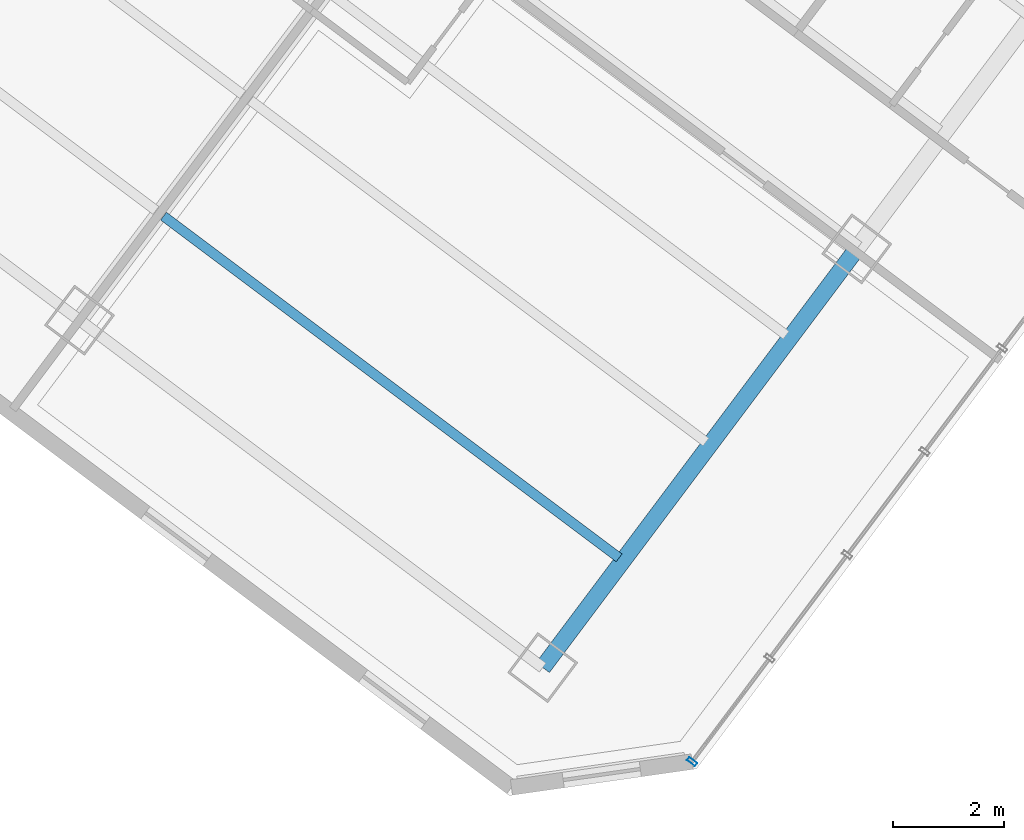
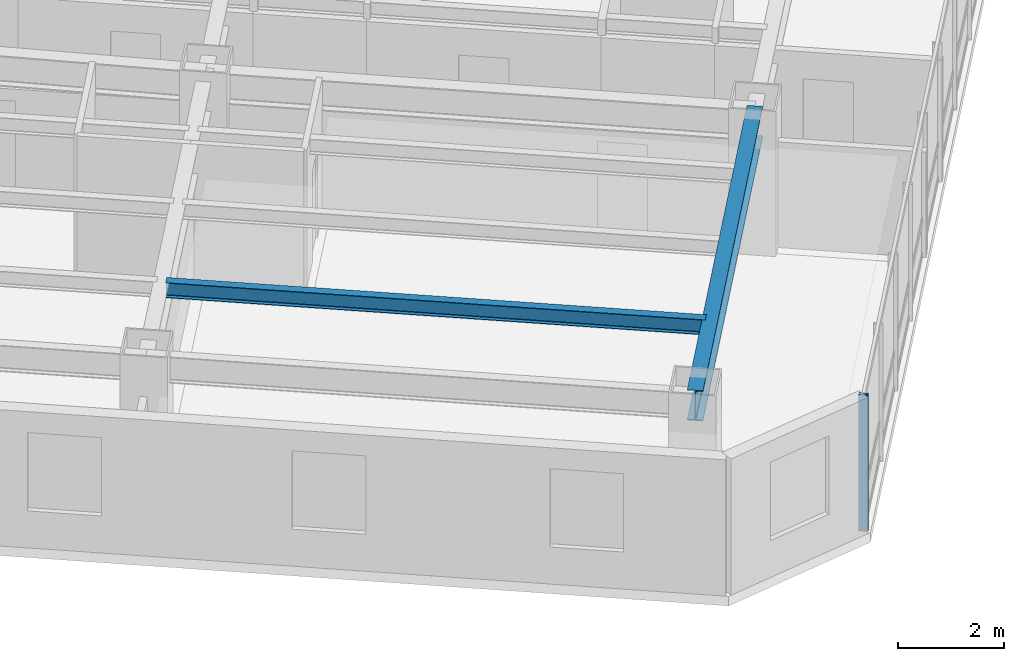
# One storey, part 6 of 31: 2 beams, 1 member, 1 element without a shape of its own.
"""IFC4 building model written with IfcOpenShell, lengths in metres."""

import ifcopenshell
import ifcopenshell.guid

model = None  # the IFC model being written
_history = None  # IfcOwnerHistory: only IFC2X3 demands one
_inside = {}  # id of a spatial element -> (the spatial element, [elements in it])
_under = {}  # id of a project, library or spatial element -> (it, [spatial elements below it])
_declared = {}  # id of a project -> (the project, [libraries it declares])
_typed = {}  # id of a type object -> (the type object, [elements of that type])
_made_of = {}  # id of a material, layer set ... -> (it, [elements and type objects made of it])


def new_model(schema):
    """Start an empty IFC model of exactly this schema.

    Asked for "IFC4X3", IfcOpenShell would pick the latest addendum, in which some entities
    have other attributes; the version numbers below select the first issue.
    IFC2X3 requires an IfcOwnerHistory on every rooted entity: one is made here for all.
    """
    global model, _history
    if schema == "IFC4X3":
        model = ifcopenshell.file(schema_version=(4, 3, 0, 0))
    else:
        model = ifcopenshell.file(schema=schema)
    _inside.clear()
    _under.clear()
    _declared.clear()
    _typed.clear()
    _made_of.clear()
    _history = None
    if model.schema == "IFC2X3":
        org = make("IfcOrganization", Name="unknown")
        user = make(
            "IfcPersonAndOrganization",
            ThePerson=make("IfcPerson", FamilyName="unknown"),
            TheOrganization=org,
        )
        app = make(
            "IfcApplication",
            ApplicationDeveloper=org,
            Version="unknown",
            ApplicationFullName="unknown",
            ApplicationIdentifier="unknown",
        )
        _history = make(
            "IfcOwnerHistory",
            OwningUser=user,
            OwningApplication=app,
            ChangeAction="ADDED",
            CreationDate=0,
        )
    return model


def make(cls, **values):
    """One entity of the class cls with the attributes given. An attribute that is None is left unset."""
    return model.create_entity(
        cls, **{name: value for name, value in values.items() if value is not None}
    )


def rooted(cls, **values):
    """An entity with a GlobalId (a new one), such as an element, a storey or a relation."""
    return make(cls, GlobalId=ifcopenshell.guid.new(), OwnerHistory=_history, **values)


def si_unit(unit_type, name, prefix=None):
    """IfcSIUnit, for example si_unit("LENGTHUNIT", "METRE", prefix="MILLI")."""
    return make("IfcSIUnit", UnitType=unit_type, Prefix=prefix, Name=name)


def assignment(units):
    """IfcUnitAssignment: the units of a project."""
    return None if units is None else make("IfcUnitAssignment", Units=units)


def point(xyz):
    """IfcCartesianPoint."""
    return None if xyz is None else make("IfcCartesianPoint", Coordinates=xyz)


def direction(xyz):
    """IfcDirection."""
    return None if xyz is None else make("IfcDirection", DirectionRatios=xyz)


def frame(location, z_axis=None, x_axis=None):
    """IfcAxis2Placement3D, a coordinate frame: its origin and axes. An axis left out is left unset."""
    return make(
        "IfcAxis2Placement3D",
        Location=point(location),
        Axis=direction(z_axis),
        RefDirection=direction(x_axis),
    )


def frame_2d(location, x_axis=None):
    """IfcAxis2Placement2D, a coordinate frame in the plane: its origin and x axis."""
    return make(
        "IfcAxis2Placement2D", Location=point(location), RefDirection=direction(x_axis)
    )


def origin():
    """The frame at (0, 0, 0) with its axes left unset."""
    return frame((0.0, 0.0, 0.0))


def origin_2d():
    """The frame at (0, 0) in the plane with its x axis left unset."""
    return frame_2d((0.0, 0.0))


def place(relative_to, where):
    """IfcLocalPlacement: puts the frame where relative to a parent placement (None: the world)."""
    return make(
        "IfcLocalPlacement", PlacementRelTo=relative_to, RelativePlacement=where
    )


def context(
    kind, dimensions, precision=None, world=None, true_north=None, identifier=None
):
    """IfcGeometricRepresentationContext, for example the 3D "Model" context."""
    return make(
        "IfcGeometricRepresentationContext",
        ContextIdentifier=identifier,
        ContextType=kind,
        CoordinateSpaceDimension=dimensions,
        Precision=precision,
        WorldCoordinateSystem=world,
        TrueNorth=true_north,
    )


def subcontext(parent, identifier, kind, view, scale=None):
    """IfcGeometricRepresentationSubContext, for example "Body" below "Model"."""
    return make(
        "IfcGeometricRepresentationSubContext",
        ContextIdentifier=identifier,
        ContextType=kind,
        ParentContext=parent,
        TargetScale=scale,
        TargetView=view,
    )


def project(units=None, contexts=None):
    """IfcProject with its units and contexts."""
    return rooted(
        "IfcProject",
        Name="project",
        RepresentationContexts=contexts,
        UnitsInContext=assignment(units),
    )


def spatial(cls, under=None, at=None, **own):
    """A site, building, storey or space (cls), placed at a placement, below another one or the project."""
    s = rooted(cls, ObjectPlacement=at, **own)
    if under is not None:
        _under.setdefault(under.id(), (under, []))[1].append(s)
    return s


def profile(cls, at=None, kind="AREA", **sizes):
    """A parametric profile (cls). Its sizes go by their IFC names, for example OverallWidth=200.0."""
    return make(cls, ProfileType=kind, Position=at, **sizes)


def hollow_rectangle(**sizes):
    """IfcRectangleHollowProfileDef."""
    return profile("IfcRectangleHollowProfileDef", **sizes)


def i_section(**sizes):
    """IfcIShapeProfileDef."""
    return profile("IfcIShapeProfileDef", **sizes)


def extrude(swept, where, along, depth):
    """IfcExtrudedAreaSolid: the profile swept, set in the frame where, extruded along a direction by depth."""
    return make(
        "IfcExtrudedAreaSolid",
        SweptArea=swept,
        Position=where,
        ExtrudedDirection=direction(along),
        Depth=depth,
    )


def shape(context_of_items, identifier, shape_type, items):
    """IfcShapeRepresentation: the items that make up one representation, for example the "Body"."""
    return make(
        "IfcShapeRepresentation",
        ContextOfItems=context_of_items,
        RepresentationIdentifier=identifier,
        RepresentationType=shape_type,
        Items=items,
    )


def material(Name=None, Category=None):
    """IfcMaterial."""
    return make("IfcMaterial", Name=Name, Category=Category)


def layer(
    of_material, thickness, ventilated=None, Name=None, Category=None, Priority=None
):
    """IfcMaterialLayer: one layer of a wall or slab, of a material (None: an air gap)."""
    return make(
        "IfcMaterialLayer",
        Material=of_material,
        LayerThickness=thickness,
        IsVentilated=ventilated,
        Name=Name,
        Category=Category,
        Priority=Priority,
    )


def layer_set(layers, Name=None):
    """IfcMaterialLayerSet."""
    return make("IfcMaterialLayerSet", MaterialLayers=layers, LayerSetName=Name)


def material_profile(
    of_material, cross_section, Name=None, Category=None, Priority=None
):
    """IfcMaterialProfile: a cross section and its material."""
    return make(
        "IfcMaterialProfile",
        Name=Name,
        Material=of_material,
        Profile=cross_section,
        Priority=Priority,
        Category=Category,
    )


def profile_set(profiles, Name=None, composite=None):
    """IfcMaterialProfileSet."""
    return make(
        "IfcMaterialProfileSet",
        Name=Name,
        MaterialProfiles=profiles,
        CompositeProfile=composite,
    )


def made_of(thing, what):
    """Note that an element or type object is made of a material, layer set ...; save() writes the relation."""
    if what is not None:
        _made_of.setdefault(what.id(), (what, []))[1].append(thing)
    return thing


def type_object(cls, material=None, **own):
    """A type object (cls), such as IfcWallType, which elements share."""
    return made_of(rooted(cls, **own), material)


def element(
    cls,
    number,
    at=None,
    inside=None,
    cuts=None,
    type_object=None,
    material=None,
    context=None,
    identifier="Body",
    shape_type=None,
    held_by="IfcProductDefinitionShape",
    body=None,
    shapes=None,
    **own,
):
    """One element of the class cls, such as IfcWall. Its Tag is "e" and its number.

    at: its placement. inside: the storey or other place that contains it. cuts: it is an
    opening in that element (IfcRelVoidsElement). A single representation is given by context,
    identifier, shape_type and body (its items); several are given by shapes. held_by: the class
    of the entity that holds the representations. save() writes the other relations.
    """
    e = rooted(cls, Tag="e%d" % number, ObjectPlacement=at, **own)
    if body is not None:
        shapes = [shape(context, identifier, shape_type, body)]
    if shapes is not None:
        e.Representation = make(held_by, Representations=shapes)
    if inside is not None:
        _inside.setdefault(inside.id(), (inside, []))[1].append(e)
    if cuts is not None:
        rooted(
            "IfcRelVoidsElement", RelatingBuildingElement=cuts, RelatedOpeningElement=e
        )
    if type_object is not None:
        _typed.setdefault(type_object.id(), (type_object, []))[1].append(e)
    return made_of(e, material)


def aggregate(whole, parts):
    """IfcRelAggregates: a whole, such as a stair, and the parts it consists of."""
    return rooted("IfcRelAggregates", RelatingObject=whole, RelatedObjects=parts)


def save(model, path):
    """Write the relations noted so far, then the file.

    IfcRelAggregates (storeys below a building ...), IfcRelContainedInSpatialStructure (elements
    in a storey), IfcRelDefinesByType, IfcRelAssociatesMaterial and IfcRelDeclares: one each for
    every whole, place, type object, material and project.
    """
    for whole, parts in _under.values():
        aggregate(whole, parts)
    for where, things in _inside.values():
        rooted(
            "IfcRelContainedInSpatialStructure",
            RelatedElements=things,
            RelatingStructure=where,
        )
    for kind, things in _typed.values():
        rooted("IfcRelDefinesByType", RelatedObjects=things, RelatingType=kind)
    for what, things in _made_of.values():
        rooted("IfcRelAssociatesMaterial", RelatedObjects=things, RelatingMaterial=what)
    for by, libraries in _declared.values():
        rooted("IfcRelDeclares", RelatingContext=by, RelatedDefinitions=libraries)
    model.write(path)


model = new_model("IFC4")

# Units and contexts
model_context = context("Model", 3, precision=1e-05, world=origin(), true_north=direction((0.0, 1.0)))
body_context = subcontext(model_context, "Body", "Model", "MODEL_VIEW")
ifc_project = project(units=[si_unit("LENGTHUNIT", "METRE"), si_unit("AREAUNIT", "SQUARE_METRE"), si_unit("VOLUMEUNIT", "CUBIC_METRE"), si_unit("PLANEANGLEUNIT", "RADIAN"), si_unit("MASSUNIT", "GRAM", prefix="KILO")], contexts=[model_context])

# Site, building, storey
site_placement = place(None, origin())
site = spatial("IfcSite", under=ifc_project, at=site_placement, CompositionType="ELEMENT")
building_placement = place(site_placement, origin())
building = spatial("IfcBuilding", under=site, at=building_placement, Name="Hatsunagi Terrace Concourse", CompositionType="ELEMENT")
storey_placement = place(building_placement, frame((0.0, 0.0, 77.949951171875)))
storey = spatial("IfcBuildingStorey", under=building, at=storey_placement, Name="L20", CompositionType="ELEMENT", Elevation=77.949951171875)

# Curtain wall, member
ifc_material_1 = material(Name="Anodised Aluminium Alloy 6063-T5", Category="aluminium")
ifc_layer = layer(ifc_material_1, 0.199951171875)
ifc_layer_set = layer_set([ifc_layer], Name="HotelFacade_CW02")
curtain_wall_type = type_object("IfcCurtainWallType", Name="HotelFacade_CW02", PredefinedType="NOTDEFINED", material=ifc_layer_set)
curtain_wall_placement = place(storey_placement, origin())
curtain_wall = element("IfcCurtainWall", 1, at=curtain_wall_placement, inside=storey, type_object=curtain_wall_type, Name="Unitised Curtain Wall CW-02 CW-L20-03", PredefinedType="NOTDEFINED")
ifc_material_2 = material(Name="Anodised Aluminium Alloy 6063-T5", Category="aluminium")
ifc_material_profile_1 = material_profile(ifc_material_2, hollow_rectangle(XDim=0.070068359375, YDim=0.179931640625, WallThickness=0.00390625, at=origin_2d()), Name="ALU-MUL-180x70x4")
ifc_profile_set_1 = profile_set([ifc_material_profile_1], Name="Anodised Aluminium Alloy 6063-T5")
member_type = type_object("IfcMemberType", Name="CurtainWallMullion_180x70", PredefinedType="MULLION", material=ifc_profile_set_1)
member_placement = place(storey_placement, frame((56.56298828125, 2.949951171875, 0.0), z_axis=(0.0, 0.0, 1.0), x_axis=(-0.599969314634, -0.800023013105, 0.0)))
member = element("IfcMember", 2, at=member_placement, type_object=member_type, Name="Curtain Wall Mullion MUL-02", PredefinedType="MULLION", context=body_context, shape_type="SweptSolid", body=[
    extrude(hollow_rectangle(XDim=0.070068359375, YDim=0.179931640625, WallThickness=0.00390625, at=origin_2d()), origin(), (0.0, 0.0, 1.0), 3.130126953125),
])
aggregate(curtain_wall, [member])

# Beams
ifc_material_3 = material(Name="Steel SN490B", Category="steel")
ifc_material_profile_2 = material_profile(ifc_material_3, i_section(OverallWidth=0.300048828125, OverallDepth=0.699951171875, WebThickness=0.012939453125, FlangeThickness=0.02392578125, FilletRadius=0.02197265625, at=origin_2d()), Name="H-700x300x13x24")
ifc_profile_set_2 = profile_set([ifc_material_profile_2], Name="Steel SN490B")
beam_type_1 = type_object("IfcBeamType", Name="HotelFloorGirder_H_700x300", PredefinedType="BEAM", material=ifc_profile_set_2)
beam_1_placement = place(storey_placement, frame((53.8798828125, 4.639892578125, 2.780029296875), z_axis=(0.600008311051, 0.799993766644, 0.0), x_axis=(-0.799993766644, 0.600008311051, 0.0)))
element("IfcBeam", 3, at=beam_1_placement, inside=storey, type_object=beam_type_1, Name="Beam G-04 BM-L20-SET-3A", PredefinedType="BEAM", context=body_context, shape_type="SweptSolid", body=[
    extrude(i_section(OverallWidth=0.300048828125, OverallDepth=0.699951171875, WebThickness=0.012939453125, FlangeThickness=0.02392578125, FilletRadius=0.02197265625, at=origin_2d()), origin(), (0.0, 0.0, 1.0), 9.400146484375),
])
ifc_material_4 = material(Name="Steel SN490B", Category="steel")
ifc_material_profile_3 = material_profile(ifc_material_4, i_section(OverallWidth=0.175048828125, OverallDepth=0.35009765625, WebThickness=0.007080078125, FlangeThickness=0.010986328125, FilletRadius=0.012939453125, at=origin_2d()), Name="H-350x175x7x11")
ifc_profile_set_3 = profile_set([ifc_material_profile_3], Name="Steel SN490B")
beam_type_2 = type_object("IfcBeamType", Name="HotelJoist_H_350x175", PredefinedType="JOIST", material=ifc_profile_set_3)
beam_2_placement = place(storey_placement, frame((47.068115234375, 12.7490234375, 2.955078125), z_axis=(0.799997136125, -0.600003818481, 0.0), x_axis=(0.600003818481, 0.799997136125, 0.0)))
element("IfcBeam", 4, at=beam_2_placement, inside=storey, type_object=beam_type_2, Name="Beam J-02 J-L20-SE-3-46", PredefinedType="JOIST", context=body_context, shape_type="SweptSolid", body=[
    extrude(i_section(OverallWidth=0.175048828125, OverallDepth=0.35009765625, WebThickness=0.007080078125, FlangeThickness=0.010986328125, FilletRadius=0.012939453125, at=origin_2d()), origin(), (0.0, 0.0, 1.0), 10.229736328125),
])

save(model, "model.ifc")
